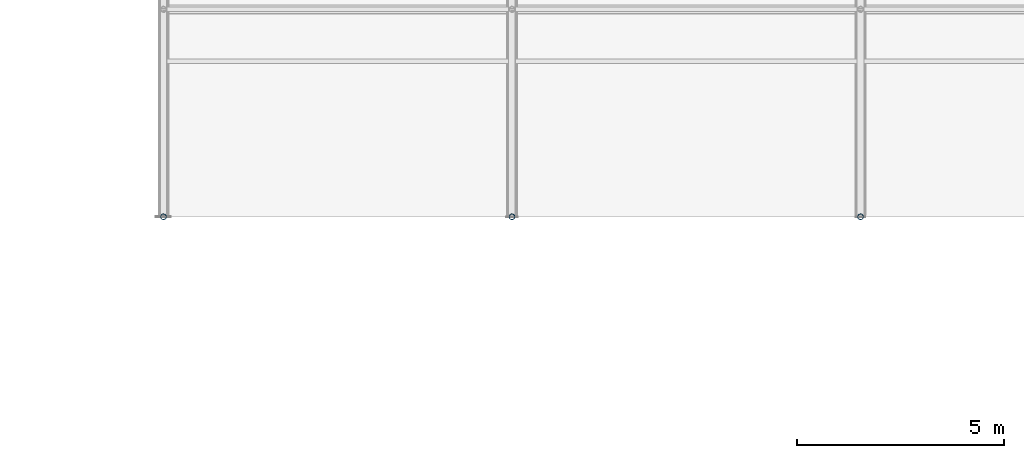
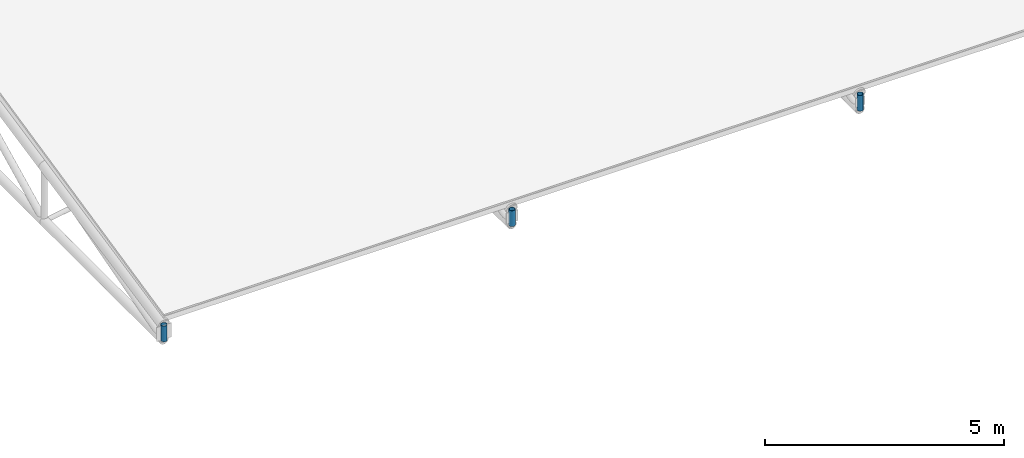
# One storey, part 129 of 194: 3 members.
"""IFC4 building model written with IfcOpenShell, lengths in metres."""

from ifc_helpers import new_model, si_unit, direction, frame, origin, origin_2d, place, context, subcontext, project, spatial, hollow_circle, extrude, material, material_profile, profile_set, type_object, element, save


model = new_model("IFC4")

# Units and contexts
model_context = context("Model", 3, precision=1e-05, world=origin(), true_north=direction((0.0, 1.0)))
body_context = subcontext(model_context, "Body", "Model", "MODEL_VIEW")
ifc_project = project(units=[si_unit("LENGTHUNIT", "METRE"), si_unit("AREAUNIT", "SQUARE_METRE"), si_unit("VOLUMEUNIT", "CUBIC_METRE"), si_unit("PLANEANGLEUNIT", "RADIAN"), si_unit("MASSUNIT", "GRAM", prefix="KILO")], contexts=[model_context])

# Site, building, storey
site_placement = place(None, origin())
site = spatial("IfcSite", under=ifc_project, at=site_placement, CompositionType="ELEMENT")
building_placement = place(site_placement, origin())
building = spatial("IfcBuilding", under=site, at=building_placement, Name="Kazenagashi Tramway Depot", CompositionType="ELEMENT")
storey_placement = place(building_placement, frame((0.0, 0.0, 23.7)))
storey = spatial("IfcBuildingStorey", under=building, at=storey_placement, Name="ROOF", CompositionType="ELEMENT", Elevation=23.7)

# Members
ifc_material = material(Name="Steel STK490", Category="steel")
ifc_material_profile = material_profile(ifc_material, hollow_circle(Radius=0.0699, WallThickness=0.0066, at=origin_2d()), Name="CHS-139.8x6.6")
ifc_profile_set = profile_set([ifc_material_profile], Name="Steel STK490")
member_type = type_object("IfcMemberType", Name="TS-02", PredefinedType="STRUT", material=ifc_profile_set)
for number, where, z_axis, x_axis, name in (
    (1, (44.8, 70.0, -14.1), (0.0, 0.0, 1.0), (1.0, 0.0, 0.0), "Tubular Space Frame TS-02 MEM-0019"),
    (2, (53.2, 70.0, -14.1), (0.0, 0.0, 1.0), (1.0, 0.0, 0.0), "Tubular Space Frame TS-02 MEM-0080"),
    (3, (61.6, 70.0, -14.1), (0.0, 0.0, 1.0), (1.0, 0.0, 0.0), "Tubular Space Frame TS-02 MEM-0141"),
):
    element("IfcMember", number, at=place(storey_placement, frame(where, z_axis=z_axis, x_axis=x_axis)), inside=storey, type_object=member_type, Name=name, PredefinedType="STRUT", context=body_context, shape_type="SweptSolid", body=[
        extrude(hollow_circle(Radius=0.0699, WallThickness=0.0066, at=origin_2d()), origin(), (0.0, 0.0, 1.0), 0.4),
    ])

save(model, "model.ifc")
